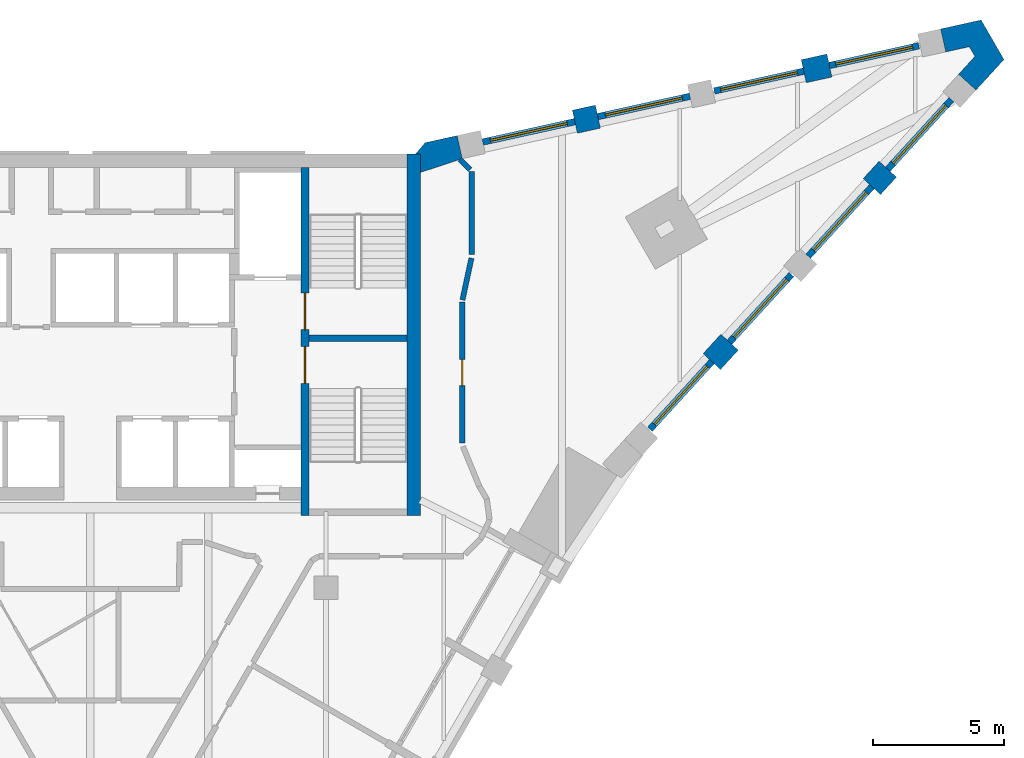
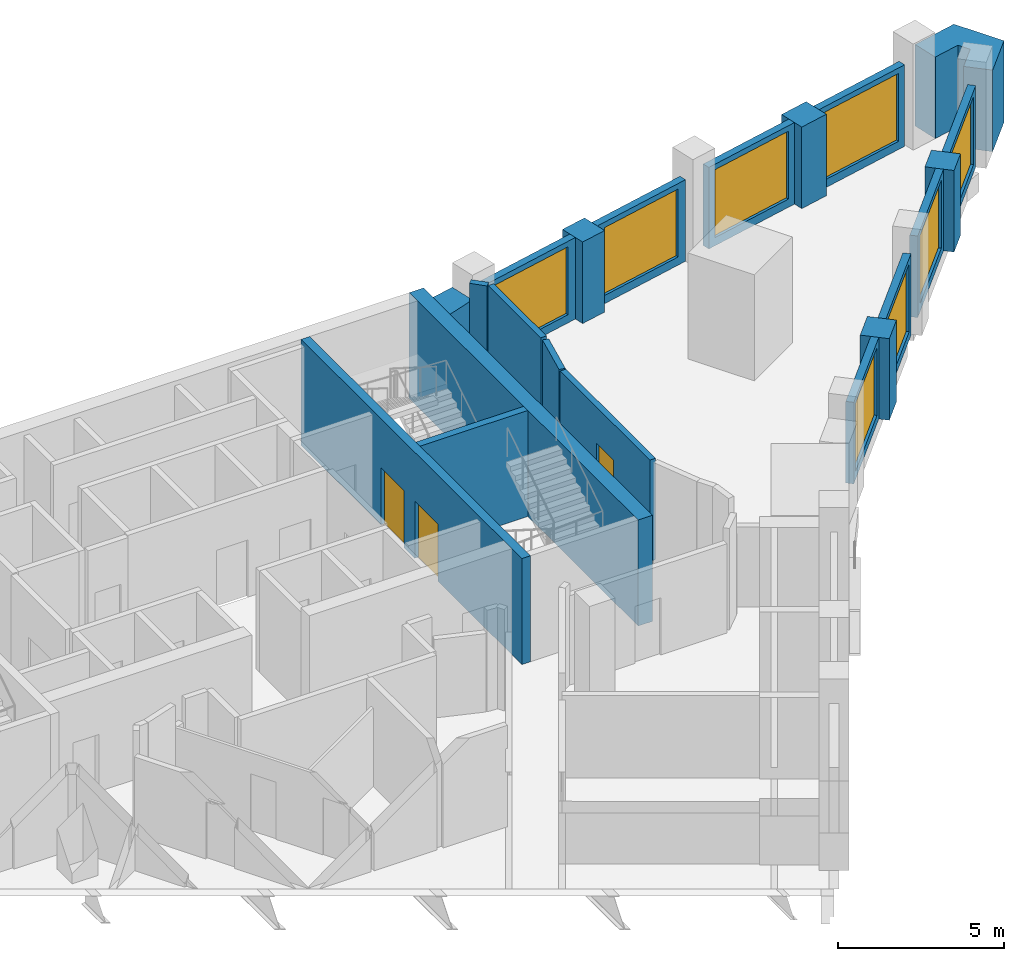
# One storey, part 7 of 9: 21 walls, 8 windows, 3 doors, 11 openings.
"""IFC4 building model written with IfcOpenShell, lengths in metres."""

from ifc_helpers import new_model, si_unit, direction, frame, frame_2d, origin, place, context, subcontext, project, spatial, polyline, rectangle, outline, extrude, material, layer, layer_set, type_object, element, fill, save


model = new_model("IFC4")

# Units and contexts
model_context = context("Model", 3, precision=1e-05, world=origin(), true_north=direction((0.0, 1.0)))
body_context = subcontext(model_context, "Body", "Model", "MODEL_VIEW")
ifc_project = project(units=[si_unit("LENGTHUNIT", "METRE"), si_unit("AREAUNIT", "SQUARE_METRE"), si_unit("VOLUMEUNIT", "CUBIC_METRE"), si_unit("PLANEANGLEUNIT", "RADIAN"), si_unit("MASSUNIT", "GRAM", prefix="KILO")], contexts=[model_context])

# Site, building, storey
site_placement = place(None, origin())
site = spatial("IfcSite", under=ifc_project, at=site_placement, CompositionType="ELEMENT")
building_placement = place(site_placement, origin())
building = spatial("IfcBuilding", under=site, at=building_placement, Name="Calabash Gate Tower", CompositionType="ELEMENT")
storey_placement = place(building_placement, frame((0.0, 0.0, 256.0)))
storey = spatial("IfcBuildingStorey", under=building, at=storey_placement, Name="L61", CompositionType="ELEMENT", Elevation=256.0)

# Walls
ifc_material_1 = material(Name="Terracotta brick masonry, exposed face", Category="masonry")
ifc_layer_1 = layer(ifc_material_1, 0.89990234375)
ifc_layer_set_1 = layer_set([ifc_layer_1], Name="Brick end wall 900")
wall_type_1 = type_object("IfcWallType", Name="Brick end wall 900", PredefinedType="SOLIDWALL", material=ifc_layer_set_1)
wall_1_placement = place(storey_placement, frame((23.728515625, 11.135009765625, 0.0), z_axis=(0.0, 0.0, 1.0), x_axis=(0.674788120713, 0.738011512203, 0.0)))
element("IfcWall", 1, at=wall_1_placement, inside=storey, type_object=wall_type_1, Name="Brick pier S17 wedge3.1", PredefinedType="SOLIDWALL", context=body_context, shape_type="SweptSolid", body=[
    extrude(rectangle(XDim=1.00390625, YDim=0.89990234375, at=frame_2d((0.501953125, 0.0))), origin(), (0.0, 0.0, 1.0), 3.0),
])
wall_2_placement = place(storey_placement, frame((30.44482421875, 18.47900390625, 0.0), z_axis=(0.0, 0.0, 1.0), x_axis=(-0.674938051731, -0.737874397391, 0.0)))
element("IfcWall", 2, at=wall_2_placement, inside=storey, type_object=wall_type_1, Name="Brick pier S17 wedge3.3", PredefinedType="SOLIDWALL", context=body_context, shape_type="SweptSolid", body=[
    extrude(rectangle(XDim=0.89990234375, YDim=0.89990234375, at=frame_2d((0.449951171875, 0.0))), origin(), (0.0, 0.0, 1.0), 3.0),
])
wall_3_placement = place(storey_placement, frame((28.21728515625, 22.436279296875, 0.0), z_axis=(0.0, 0.0, 1.0), x_axis=(-0.97656888558, -0.215205045752, 0.0)))
element("IfcWall", 3, at=wall_3_placement, inside=storey, type_object=wall_type_1, Name="Brick pier S17 wedge5.1", PredefinedType="SOLIDWALL", context=body_context, shape_type="SweptSolid", body=[
    extrude(rectangle(XDim=1.00390625, YDim=0.89990234375, at=frame_2d((0.501953125, 0.0))), origin(), (0.0, 0.0, 1.0), 3.0),
])
wall_4_placement = place(storey_placement, frame((18.4990234375, 20.2919921875, 0.0), z_axis=(0.0, 0.0, 1.0), x_axis=(0.976473402733, 0.215637876437, 0.0)))
element("IfcWall", 4, at=wall_4_placement, inside=storey, type_object=wall_type_1, Name="Brick pier S17 wedge5.3", PredefinedType="SOLIDWALL", context=body_context, shape_type="SweptSolid", body=[
    extrude(rectangle(XDim=0.900146484375, YDim=0.89990234375, at=frame_2d((0.4501953125, 0.0))), origin(), (0.0, 0.0, 1.0), 3.0),
])
wall_5_placement = place(storey_placement, origin())
element("IfcWall", 5, at=wall_5_placement, inside=storey, type_object=wall_type_1, Name="Brick end wall S17 2", PredefinedType="SOLIDWALL", context=body_context, shape_type="SweptSolid", body=[
    extrude(outline(polyline([(33.813720703125, 21.496337890625), (34.881591796875, 22.663818359375), (34.0087890625, 24.175048828125), (32.4638671875, 23.834228515625), (32.65771484375, 22.955322265625), (33.55908203125, 23.154296875), (33.7724609375, 22.78466796875), (33.149658203125, 22.103759765625), (33.813720703125, 21.496337890625)])), origin(), (0.0, 0.0, 1.0), 3.0),
])
wall_6_placement = place(storey_placement, origin())
element("IfcWall", 6, at=wall_6_placement, inside=storey, type_object=wall_type_1, Name="Brick end wall S17 3", PredefinedType="SOLIDWALL", context=body_context, shape_type="SweptSolid", body=[
    extrude(outline(polyline([(14.201416015625, 18.883056640625), (14.0078125, 19.761962890625), (12.784423828125, 19.491943359375), (12.410400390625, 19.052490234375), (12.60009765625, 19.052490234375), (12.60009765625, 18.351806640625), (14.201416015625, 18.883056640625)])), origin(), (0.0, 0.0, 1.0), 3.0),
])
ifc_material_2 = material(Name="Concrete C60/75", Category="concrete")
ifc_layer_2 = layer(ifc_material_2, 0.25)
ifc_layer_set_2 = layer_set([ifc_layer_2], Name="Core wall 250 Concrete C60/75")
wall_type_2 = type_object("IfcWallType", Name="Core wall 250 Concrete C60/75", PredefinedType="SHEAR", material=ifc_layer_set_2)
wall_7_placement = place(storey_placement, frame((8.35009765625, 12.027587890625, 0.0), z_axis=(0.0, 0.0, 1.0), x_axis=(1.0, 0.0, 0.0)))
element("IfcWall", 7, at=wall_7_placement, inside=storey, type_object=wall_type_2, Name="Core wall Z5-MIDE L61", PredefinedType="SHEAR", context=body_context, shape_type="SweptSolid", body=[
    extrude(rectangle(XDim=3.75, YDim=0.25, at=frame_2d((1.875, 0.0))), origin(), (0.0, 0.0, 1.0), 3.89990234375),
])

# Wall, openings, doors
ifc_material_3 = material(Name="Concrete C60/75", Category="concrete")
ifc_layer_3 = layer(ifc_material_3, 0.300048828125)
ifc_layer_set_3 = layer_set([ifc_layer_3], Name="Core wall 300 Concrete C60/75")
wall_type_3 = type_object("IfcWallType", Name="Core wall 300 Concrete C60/75", PredefinedType="SHEAR", material=ifc_layer_set_3)
wall_8_placement = place(storey_placement, frame((8.199951171875, 5.252685546875, 0.0), z_axis=(0.0, 0.0, 1.0), x_axis=(0.0, 1.0, 0.0)))
wall_8 = element("IfcWall", 8, at=wall_8_placement, inside=storey, type_object=wall_type_3, Name="Core wall Z5-PARTE L61", PredefinedType="SHEAR", context=body_context, shape_type="SweptSolid", body=[
    extrude(rectangle(XDim=13.2998046875, YDim=0.300048828125, at=frame_2d((6.64990234375, 0.0))), origin(), (0.0, 0.0, 1.0), 3.89990234375),
])
opening_1_placement = place(wall_8_placement, frame((7.10009765625, 0.0, 0.0)))
opening_1 = element("IfcOpeningElement", 9, at=opening_1_placement, cuts=wall_8, Name="Opening O9-013", PredefinedType="OPENING", context=body_context, shape_type="SweptSolid", body=[
    extrude(rectangle(XDim=1.39990234375, YDim=2.10009765625, at=frame_2d((0.699951171875, 1.050048828125))), frame((0.0, 0.159912109375, 0.0), z_axis=(0.0, -1.0, 0.0), x_axis=(1.0, 0.0, 0.0)), (0.0, 0.0, 1.0), 0.320068359375),
])
opening_2_placement = place(wall_8_placement, frame((5.050048828125, 0.0, 0.0)))
opening_2 = element("IfcOpeningElement", 10, at=opening_2_placement, cuts=wall_8, Name="Opening O9-014", PredefinedType="OPENING", context=body_context, shape_type="SweptSolid", body=[
    extrude(rectangle(XDim=1.39990234375, YDim=2.10009765625, at=frame_2d((0.699951171875, 1.050048828125))), frame((0.0, 0.159912109375, 0.0), z_axis=(0.0, -1.0, 0.0), x_axis=(1.0, 0.0, 0.0)), (0.0, 0.0, 1.0), 0.320068359375),
])
ifc_material_4 = material(Name="Steel fire door set with fire-resisting glazing", Category="steel")
door_type_1 = type_object("IfcDoorType", Name="Fire door D05 1400x2100 FD90", OperationType="NOTDEFINED", PredefinedType="DOOR", material=ifc_material_4)
door_1_placement = place(opening_1_placement, origin())
door_1 = element("IfcDoor", 11, at=door_1_placement, inside=storey, type_object=door_type_1, Name="Exit stair door ST3", OperationType="SINGLE_SWING_RIGHT", OverallHeight=2.10009765625, OverallWidth=1.39990234375, PredefinedType="DOOR", context=body_context, shape_type="SweptSolid", body=[
    extrude(rectangle(XDim=1.39990234375, YDim=2.10009765625, at=frame_2d((0.699951171875, 1.050048828125))), frame((0.0, 0.02490234375, 0.0), z_axis=(0.0, -1.0, 0.0), x_axis=(1.0, 0.0, 0.0)), (0.0, 0.0, 1.0), 0.050048828125),
])
fill(opening_1, door_1)
door_2_placement = place(opening_2_placement, origin())
door_2 = element("IfcDoor", 12, at=door_2_placement, inside=storey, type_object=door_type_1, Name="Exit stair door ST4", OperationType="SINGLE_SWING_LEFT", OverallHeight=2.10009765625, OverallWidth=1.39990234375, PredefinedType="DOOR", context=body_context, shape_type="SweptSolid", body=[
    extrude(rectangle(XDim=1.39990234375, YDim=2.10009765625, at=frame_2d((0.699951171875, 1.050048828125))), frame((0.0, 0.02490234375, 0.0), z_axis=(0.0, -1.0, 0.0), x_axis=(1.0, 0.0, 0.0)), (0.0, 0.0, 1.0), 0.050048828125),
])
fill(opening_2, door_2)

# Wall
ifc_material_5 = material(Name="Concrete C60/75", Category="concrete")
ifc_layer_4 = layer(ifc_material_5, 0.5)
ifc_layer_set_4 = layer_set([ifc_layer_4], Name="Core wall 500 Concrete C60/75")
wall_type_4 = type_object("IfcWallType", Name="Core wall 500 Concrete C60/75", PredefinedType="SHEAR", material=ifc_layer_set_4)
wall_9_placement = place(storey_placement, frame((12.35009765625, 5.252685546875, 0.0), z_axis=(0.0, 0.0, 1.0), x_axis=(0.0, 1.0, 0.0)))
element("IfcWall", 13, at=wall_9_placement, inside=storey, type_object=wall_type_4, Name="Core wall Z5-COLE L61", PredefinedType="SHEAR", context=body_context, shape_type="SweptSolid", body=[
    extrude(rectangle(XDim=13.7998046875, YDim=0.5, at=frame_2d((6.89990234375, 0.0))), origin(), (0.0, 0.0, 1.0), 3.89990234375),
])

# Wall, opening, door
ifc_material_6 = material(Name="Gypsum board on steel studs, mineral wool", Category="steel")
ifc_layer_5 = layer(ifc_material_6, 0.199951171875)
ifc_layer_set_5 = layer_set([ifc_layer_5], Name="Partition 200 gypsum board EI 60")
wall_type_5 = type_object("IfcWallType", Name="Partition 200 gypsum board EI 60", PredefinedType="PARTITIONING", material=ifc_layer_set_5)
wall_10_placement = place(storey_placement, frame((14.200439453125, 8.017333984375, 0.0), z_axis=(0.0, 0.0, 1.0), x_axis=(0.0, 1.0, 0.0)))
wall_10 = element("IfcWall", 14, at=wall_10_placement, inside=storey, type_object=wall_type_5, Name="Partition", PredefinedType="PARTITIONING", context=body_context, shape_type="SweptSolid", body=[
    extrude(rectangle(XDim=5.400146484375, YDim=0.199951171875, at=frame_2d((2.7001953125, 0.0))), origin(), (0.0, 0.0, 1.0), 3.72998046875),
])
opening_3_placement = place(wall_10_placement, frame((2.2001953125, 0.0, 0.0)))
opening_3 = element("IfcOpeningElement", 15, at=opening_3_placement, cuts=wall_10, Name="Opening 59-61-010", PredefinedType="OPENING", context=body_context, shape_type="SweptSolid", body=[
    extrude(rectangle(XDim=1.0, YDim=2.39990234375, at=frame_2d((0.5, 1.199951171875))), frame((0.0, 0.10986328125, 0.0), z_axis=(0.0, -1.0, 0.0), x_axis=(1.0, 0.0, 0.0)), (0.0, 0.0, 1.0), 0.219970703125),
])
ifc_material_7 = material(Name="Painted timber door", Category="wood")
door_type_2 = type_object("IfcDoorType", Name="OD2 Glazed office door 1000x2400", OperationType="NOTDEFINED", PredefinedType="DOOR", material=ifc_material_7)
door_3_placement = place(opening_3_placement, origin())
door_3 = element("IfcDoor", 16, at=door_3_placement, inside=storey, type_object=door_type_2, Name="Glazed office door", OperationType="SINGLE_SWING_LEFT", OverallHeight=2.39990234375, OverallWidth=1.0, PredefinedType="DOOR", context=body_context, shape_type="SweptSolid", body=[
    extrude(rectangle(XDim=1.0, YDim=2.39990234375, at=frame_2d((0.5, 1.199951171875))), frame((0.0, 0.02490234375, 0.0), z_axis=(0.0, -1.0, 0.0), x_axis=(1.0, 0.0, 0.0)), (0.0, 0.0, 1.0), 0.050048828125),
])
fill(opening_3, door_3)

# Walls
wall_11_placement = place(storey_placement, frame((14.2080078125, 13.48681640625, 0.0), z_axis=(0.0, 0.0, 1.0), x_axis=(0.210294567168, 0.977638069543, 0.0)))
element("IfcWall", 17, at=wall_11_placement, inside=storey, type_object=wall_type_5, Name="Partition", PredefinedType="PARTITIONING", context=body_context, shape_type="SweptSolid", body=[
    extrude(rectangle(XDim=1.633544921875, YDim=0.199951171875, at=frame_2d((0.81689453125, 0.0))), origin(), (0.0, 0.0, 1.0), 3.72998046875),
])
wall_12_placement = place(storey_placement, frame((14.566162109375, 18.392578125, 0.0), z_axis=(0.0, 0.0, 1.0), x_axis=(0.0, -1.0, 0.0)))
element("IfcWall", 18, at=wall_12_placement, inside=storey, type_object=wall_type_5, Name="Partition", PredefinedType="PARTITIONING", context=body_context, shape_type="SweptSolid", body=[
    extrude(rectangle(XDim=3.169921875, YDim=0.199951171875, at=frame_2d((1.5849609375, 0.0))), origin(), (0.0, 0.0, 1.0), 3.72998046875),
])
wall_13_placement = place(storey_placement, frame((14.107177734375, 18.851806640625, 0.0), z_axis=(0.0, 0.0, 1.0), x_axis=(0.707106781187, -0.707106781187, 0.0)))
element("IfcWall", 19, at=wall_13_placement, inside=storey, type_object=wall_type_5, Name="Partition", PredefinedType="PARTITIONING", context=body_context, shape_type="SweptSolid", body=[
    extrude(rectangle(XDim=0.54931640625, YDim=0.199951171875, at=frame_2d((0.274658203125, 0.0))), origin(), (0.0, 0.0, 1.0), 3.72998046875),
])

# Wall, opening, window
ifc_material_8 = material(Name="Aluminium framed window wall with insulated spandrel", Category="aluminium")
ifc_layer_6 = layer(ifc_material_8, 0.25)
ifc_layer_set_6 = layer_set([ifc_layer_6], Name="Prow window wall 250")
wall_type_6 = type_object("IfcWallType", Name="Prow window wall 250", PredefinedType="ELEMENTEDWALL", material=ifc_layer_set_6)
wall_14_placement = place(storey_placement, frame((21.367919921875, 8.5537109375, 0.0), z_axis=(0.0, 0.0, 1.0), x_axis=(0.67487449122, 0.737932531537, 0.0)))
wall_14 = element("IfcWall", 20, at=wall_14_placement, inside=storey, type_object=wall_type_6, Name="Prow window wall S17 wedge3.1", PredefinedType="ELEMENTEDWALL", context=body_context, shape_type="SweptSolid", body=[
    extrude(rectangle(XDim=3.5, YDim=0.25, at=frame_2d((1.75, 0.0))), origin(), (0.0, 0.0, 1.0), 3.0),
])
opening_4_placement = place(wall_14_placement, frame((0.25, 0.0, 0.300048828125)))
opening_4 = element("IfcOpeningElement", 21, at=opening_4_placement, cuts=wall_14, Name="Opening WP2", PredefinedType="OPENING", context=body_context, shape_type="SweptSolid", body=[
    extrude(rectangle(XDim=3.0, YDim=2.5, at=frame_2d((1.5, 1.25))), frame((0.0, 0.135009765625, 0.0), z_axis=(0.0, -1.0, 0.0), x_axis=(1.0, 0.0, 0.0)), (0.0, 0.0, 1.0), 0.27001953125),
])
ifc_material_9 = material(Name="Anodised aluminium frame, bronze finish, impact-rated laminated clear glazing", Category="aluminium")
window_type = type_object("IfcWindowType", Name="Window WP2 3000x2500", PartitioningType="DOUBLE_PANEL_VERTICAL", PredefinedType="WINDOW", material=ifc_material_9)
window_1_placement = place(opening_4_placement, origin())
window_1 = element("IfcWindow", 22, at=window_1_placement, inside=storey, type_object=window_type, Name="Prow window WP2 S17 wedge3.1", OverallHeight=2.5, OverallWidth=3.0, PartitioningType="SINGLE_PANEL", PredefinedType="WINDOW", context=body_context, shape_type="SweptSolid", body=[
    extrude(rectangle(XDim=3.0, YDim=2.5, at=frame_2d((1.5, 1.25))), frame((0.0, 0.030029296875, 0.0), z_axis=(0.0, -1.0, 0.0), x_axis=(1.0, 0.0, 0.0)), (0.0, 0.0, 1.0), 0.06005859375),
])
fill(opening_4, window_1)

wall_15_placement = place(storey_placement, frame((24.40478515625, 11.87451171875, 0.0), z_axis=(0.0, 0.0, 1.0), x_axis=(0.67487449122, 0.737932531537, 0.0)))
wall_15 = element("IfcWall", 23, at=wall_15_placement, inside=storey, type_object=wall_type_6, Name="Prow window wall S17 wedge3.2", PredefinedType="ELEMENTEDWALL", context=body_context, shape_type="SweptSolid", body=[
    extrude(rectangle(XDim=3.5, YDim=0.25, at=frame_2d((1.75, 0.0))), origin(), (0.0, 0.0, 1.0), 3.0),
])
opening_5_placement = place(wall_15_placement, frame((0.25, 0.0, 0.300048828125)))
opening_5 = element("IfcOpeningElement", 24, at=opening_5_placement, cuts=wall_15, Name="Opening WP2", PredefinedType="OPENING", context=body_context, shape_type="SweptSolid", body=[
    extrude(rectangle(XDim=3.0, YDim=2.5, at=frame_2d((1.5, 1.25))), frame((0.0, 0.135009765625, 0.0), z_axis=(0.0, -1.0, 0.0), x_axis=(1.0, 0.0, 0.0)), (0.0, 0.0, 1.0), 0.27001953125),
])
window_2_placement = place(opening_5_placement, origin())
window_2 = element("IfcWindow", 25, at=window_2_placement, inside=storey, type_object=window_type, Name="Prow window WP2 S17 wedge3.2", OverallHeight=2.5, OverallWidth=3.0, PartitioningType="SINGLE_PANEL", PredefinedType="WINDOW", context=body_context, shape_type="SweptSolid", body=[
    extrude(rectangle(XDim=3.0, YDim=2.5, at=frame_2d((1.5, 1.25))), frame((0.0, 0.030029296875, 0.0), z_axis=(0.0, -1.0, 0.0), x_axis=(1.0, 0.0, 0.0)), (0.0, 0.0, 1.0), 0.06005859375),
])
fill(opening_5, window_2)

wall_16_placement = place(storey_placement, frame((27.407958984375, 15.158203125, 0.0), z_axis=(0.0, 0.0, 1.0), x_axis=(0.674833575111, 0.737969949187, 0.0)))
wall_16 = element("IfcWall", 26, at=wall_16_placement, inside=storey, type_object=wall_type_6, Name="Prow window wall S17 wedge3.3", PredefinedType="ELEMENTEDWALL", context=body_context, shape_type="SweptSolid", body=[
    extrude(rectangle(XDim=3.60009765625, YDim=0.25, at=frame_2d((1.800048828125, 0.0))), origin(), (0.0, 0.0, 1.0), 3.0),
])
opening_6_placement = place(wall_16_placement, frame((0.300048828125, 0.0, 0.300048828125)))
opening_6 = element("IfcOpeningElement", 27, at=opening_6_placement, cuts=wall_16, Name="Opening WP2", PredefinedType="OPENING", context=body_context, shape_type="SweptSolid", body=[
    extrude(rectangle(XDim=3.0, YDim=2.5, at=frame_2d((1.5, 1.25))), frame((0.0, 0.135009765625, 0.0), z_axis=(0.0, -1.0, 0.0), x_axis=(1.0, 0.0, 0.0)), (0.0, 0.0, 1.0), 0.27001953125),
])
window_3_placement = place(opening_6_placement, origin())
window_3 = element("IfcWindow", 28, at=window_3_placement, inside=storey, type_object=window_type, Name="Prow window WP2 S17 wedge3.3", OverallHeight=2.5, OverallWidth=3.0, PartitioningType="SINGLE_PANEL", PredefinedType="WINDOW", context=body_context, shape_type="SweptSolid", body=[
    extrude(rectangle(XDim=3.0, YDim=2.5, at=frame_2d((1.5, 1.25))), frame((0.0, 0.030029296875, 0.0), z_axis=(0.0, -1.0, 0.0), x_axis=(1.0, 0.0, 0.0)), (0.0, 0.0, 1.0), 0.06005859375),
])
fill(opening_6, window_3)

wall_17_placement = place(storey_placement, frame((30.44482421875, 18.47900390625, 0.0), z_axis=(0.0, 0.0, 1.0), x_axis=(0.674833575111, 0.737969949187, 0.0)))
wall_17 = element("IfcWall", 29, at=wall_17_placement, inside=storey, type_object=wall_type_6, Name="Prow window wall S17 wedge3.4", PredefinedType="ELEMENTEDWALL", context=body_context, shape_type="SweptSolid", body=[
    extrude(rectangle(XDim=3.60009765625, YDim=0.25, at=frame_2d((1.800048828125, 0.0))), origin(), (0.0, 0.0, 1.0), 3.0),
])
opening_7_placement = place(wall_17_placement, frame((0.300048828125, 0.0, 0.300048828125)))
opening_7 = element("IfcOpeningElement", 30, at=opening_7_placement, cuts=wall_17, Name="Opening WP2", PredefinedType="OPENING", context=body_context, shape_type="SweptSolid", body=[
    extrude(rectangle(XDim=3.0, YDim=2.5, at=frame_2d((1.5, 1.25))), frame((0.0, 0.135009765625, 0.0), z_axis=(0.0, -1.0, 0.0), x_axis=(1.0, 0.0, 0.0)), (0.0, 0.0, 1.0), 0.27001953125),
])
window_4_placement = place(opening_7_placement, origin())
window_4 = element("IfcWindow", 31, at=window_4_placement, inside=storey, type_object=window_type, Name="Prow window WP2 S17 wedge3.4", OverallHeight=2.5, OverallWidth=3.0, PartitioningType="SINGLE_PANEL", PredefinedType="WINDOW", context=body_context, shape_type="SweptSolid", body=[
    extrude(rectangle(XDim=3.0, YDim=2.5, at=frame_2d((1.5, 1.25))), frame((0.0, 0.030029296875, 0.0), z_axis=(0.0, -1.0, 0.0), x_axis=(1.0, 0.0, 0.0)), (0.0, 0.0, 1.0), 0.06005859375),
])
fill(opening_7, window_4)

wall_18_placement = place(storey_placement, frame((31.633056640625, 23.190185546875, 0.0), z_axis=(0.0, 0.0, 1.0), x_axis=(-0.976509313763, -0.215475196101, 0.0)))
wall_18 = element("IfcWall", 32, at=wall_18_placement, inside=storey, type_object=wall_type_6, Name="Prow window wall S17 wedge5.1", PredefinedType="ELEMENTEDWALL", context=body_context, shape_type="SweptSolid", body=[
    extrude(rectangle(XDim=3.5, YDim=0.25, at=frame_2d((1.75, 0.0))), origin(), (0.0, 0.0, 1.0), 3.0),
])
opening_8_placement = place(wall_18_placement, frame((0.25, 0.0, 0.300048828125)))
opening_8 = element("IfcOpeningElement", 33, at=opening_8_placement, cuts=wall_18, Name="Opening WP2", PredefinedType="OPENING", context=body_context, shape_type="SweptSolid", body=[
    extrude(rectangle(XDim=3.0, YDim=2.5, at=frame_2d((1.5, 1.25))), frame((0.0, 0.135009765625, 0.0), z_axis=(0.0, -1.0, 0.0), x_axis=(1.0, 0.0, 0.0)), (0.0, 0.0, 1.0), 0.27001953125),
])
window_5_placement = place(opening_8_placement, origin())
window_5 = element("IfcWindow", 34, at=window_5_placement, inside=storey, type_object=window_type, Name="Prow window WP2 S17 wedge5.1", OverallHeight=2.5, OverallWidth=3.0, PartitioningType="SINGLE_PANEL", PredefinedType="WINDOW", context=body_context, shape_type="SweptSolid", body=[
    extrude(rectangle(XDim=3.0, YDim=2.5, at=frame_2d((1.5, 1.25))), frame((0.0, 0.030029296875, 0.0), z_axis=(0.0, -1.0, 0.0), x_axis=(1.0, 0.0, 0.0)), (0.0, 0.0, 1.0), 0.06005859375),
])
fill(opening_8, window_5)

wall_19_placement = place(storey_placement, frame((27.23876953125, 22.220458984375, 0.0), z_axis=(0.0, 0.0, 1.0), x_axis=(-0.976509313763, -0.215475196101, 0.0)))
wall_19 = element("IfcWall", 35, at=wall_19_placement, inside=storey, type_object=wall_type_6, Name="Prow window wall S17 wedge5.2", PredefinedType="ELEMENTEDWALL", context=body_context, shape_type="SweptSolid", body=[
    extrude(rectangle(XDim=3.5, YDim=0.25, at=frame_2d((1.75, 0.0))), origin(), (0.0, 0.0, 1.0), 3.0),
])
opening_9_placement = place(wall_19_placement, frame((0.25, 0.0, 0.300048828125)))
opening_9 = element("IfcOpeningElement", 36, at=opening_9_placement, cuts=wall_19, Name="Opening WP2", PredefinedType="OPENING", context=body_context, shape_type="SweptSolid", body=[
    extrude(rectangle(XDim=3.0, YDim=2.5, at=frame_2d((1.5, 1.25))), frame((0.0, 0.135009765625, 0.0), z_axis=(0.0, -1.0, 0.0), x_axis=(1.0, 0.0, 0.0)), (0.0, 0.0, 1.0), 0.27001953125),
])
window_6_placement = place(opening_9_placement, origin())
window_6 = element("IfcWindow", 37, at=window_6_placement, inside=storey, type_object=window_type, Name="Prow window WP2 S17 wedge5.2", OverallHeight=2.5, OverallWidth=3.0, PartitioningType="SINGLE_PANEL", PredefinedType="WINDOW", context=body_context, shape_type="SweptSolid", body=[
    extrude(rectangle(XDim=3.0, YDim=2.5, at=frame_2d((1.5, 1.25))), frame((0.0, 0.030029296875, 0.0), z_axis=(0.0, -1.0, 0.0), x_axis=(1.0, 0.0, 0.0)), (0.0, 0.0, 1.0), 0.06005859375),
])
fill(opening_9, window_6)

wall_20_placement = place(storey_placement, frame((22.893310546875, 21.26171875, 0.0), z_axis=(0.0, 0.0, 1.0), x_axis=(-0.976513072969, -0.215458159096, 0.0)))
wall_20 = element("IfcWall", 38, at=wall_20_placement, inside=storey, type_object=wall_type_6, Name="Prow window wall S17 wedge5.3", PredefinedType="ELEMENTEDWALL", context=body_context, shape_type="SweptSolid", body=[
    extrude(rectangle(XDim=3.599853515625, YDim=0.25, at=frame_2d((1.7998046875, 0.0))), origin(), (0.0, 0.0, 1.0), 3.0),
])
opening_10_placement = place(wall_20_placement, frame((0.300048828125, 0.0, 0.300048828125)))
opening_10 = element("IfcOpeningElement", 39, at=opening_10_placement, cuts=wall_20, Name="Opening WP2", PredefinedType="OPENING", context=body_context, shape_type="SweptSolid", body=[
    extrude(rectangle(XDim=3.0, YDim=2.5, at=frame_2d((1.5, 1.25))), frame((0.0, 0.135009765625, 0.0), z_axis=(0.0, -1.0, 0.0), x_axis=(1.0, 0.0, 0.0)), (0.0, 0.0, 1.0), 0.27001953125),
])
window_7_placement = place(opening_10_placement, origin())
window_7 = element("IfcWindow", 40, at=window_7_placement, inside=storey, type_object=window_type, Name="Prow window WP2 S17 wedge5.3", OverallHeight=2.5, OverallWidth=3.0, PartitioningType="SINGLE_PANEL", PredefinedType="WINDOW", context=body_context, shape_type="SweptSolid", body=[
    extrude(rectangle(XDim=3.0, YDim=2.5, at=frame_2d((1.5, 1.25))), frame((0.0, 0.030029296875, 0.0), z_axis=(0.0, -1.0, 0.0), x_axis=(1.0, 0.0, 0.0)), (0.0, 0.0, 1.0), 0.06005859375),
])
fill(opening_10, window_7)

wall_21_placement = place(storey_placement, frame((18.4990234375, 20.2919921875, 0.0), z_axis=(0.0, 0.0, 1.0), x_axis=(-0.976513072969, -0.215458159096, 0.0)))
wall_21 = element("IfcWall", 41, at=wall_21_placement, inside=storey, type_object=wall_type_6, Name="Prow window wall S17 wedge5.4", PredefinedType="ELEMENTEDWALL", context=body_context, shape_type="SweptSolid", body=[
    extrude(rectangle(XDim=3.599853515625, YDim=0.25, at=frame_2d((1.7998046875, 0.0))), origin(), (0.0, 0.0, 1.0), 3.0),
])
opening_11_placement = place(wall_21_placement, frame((0.300048828125, 0.0, 0.300048828125)))
opening_11 = element("IfcOpeningElement", 42, at=opening_11_placement, cuts=wall_21, Name="Opening WP2", PredefinedType="OPENING", context=body_context, shape_type="SweptSolid", body=[
    extrude(rectangle(XDim=3.0, YDim=2.5, at=frame_2d((1.5, 1.25))), frame((0.0, 0.135009765625, 0.0), z_axis=(0.0, -1.0, 0.0), x_axis=(1.0, 0.0, 0.0)), (0.0, 0.0, 1.0), 0.27001953125),
])
window_8_placement = place(opening_11_placement, origin())
window_8 = element("IfcWindow", 43, at=window_8_placement, inside=storey, type_object=window_type, Name="Prow window WP2 S17 wedge5.4", OverallHeight=2.5, OverallWidth=3.0, PartitioningType="SINGLE_PANEL", PredefinedType="WINDOW", context=body_context, shape_type="SweptSolid", body=[
    extrude(rectangle(XDim=3.0, YDim=2.5, at=frame_2d((1.5, 1.25))), frame((0.0, 0.030029296875, 0.0), z_axis=(0.0, -1.0, 0.0), x_axis=(1.0, 0.0, 0.0)), (0.0, 0.0, 1.0), 0.06005859375),
])
fill(opening_11, window_8)

save(model, "model.ifc")
